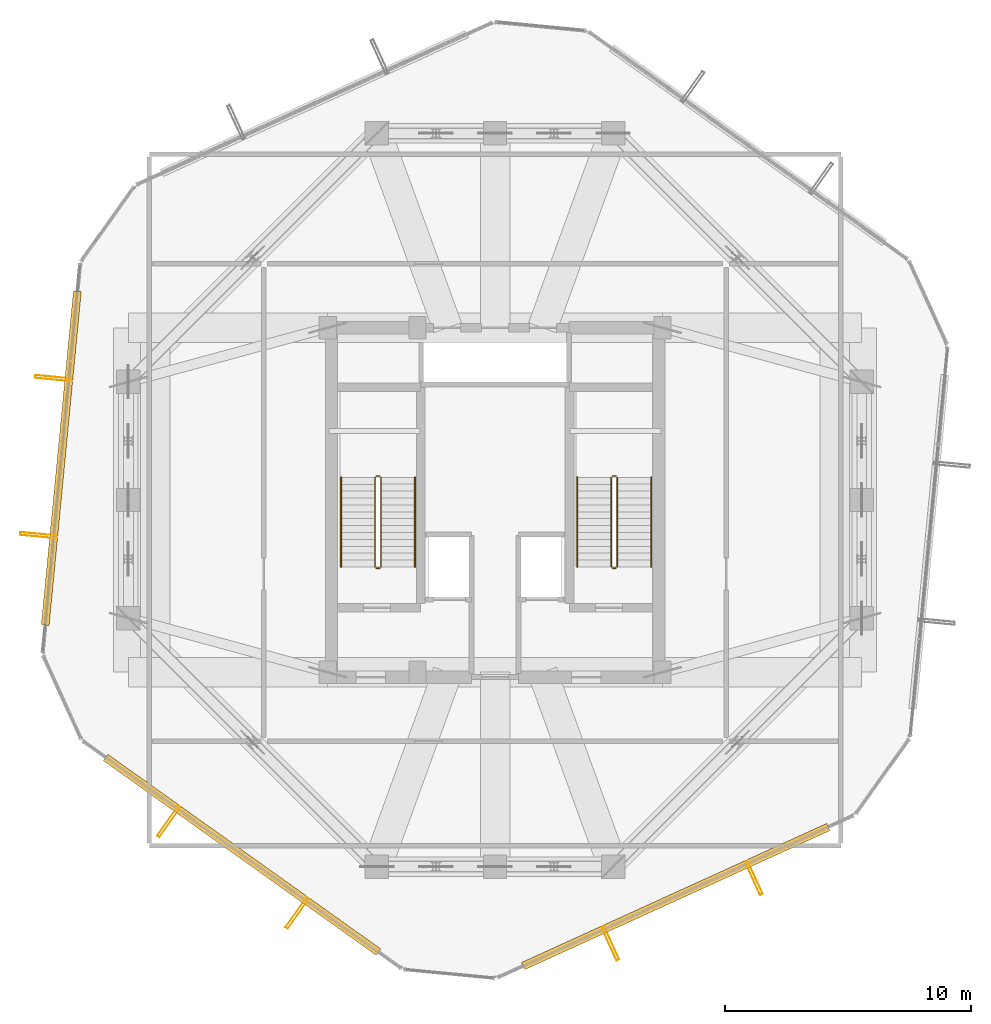
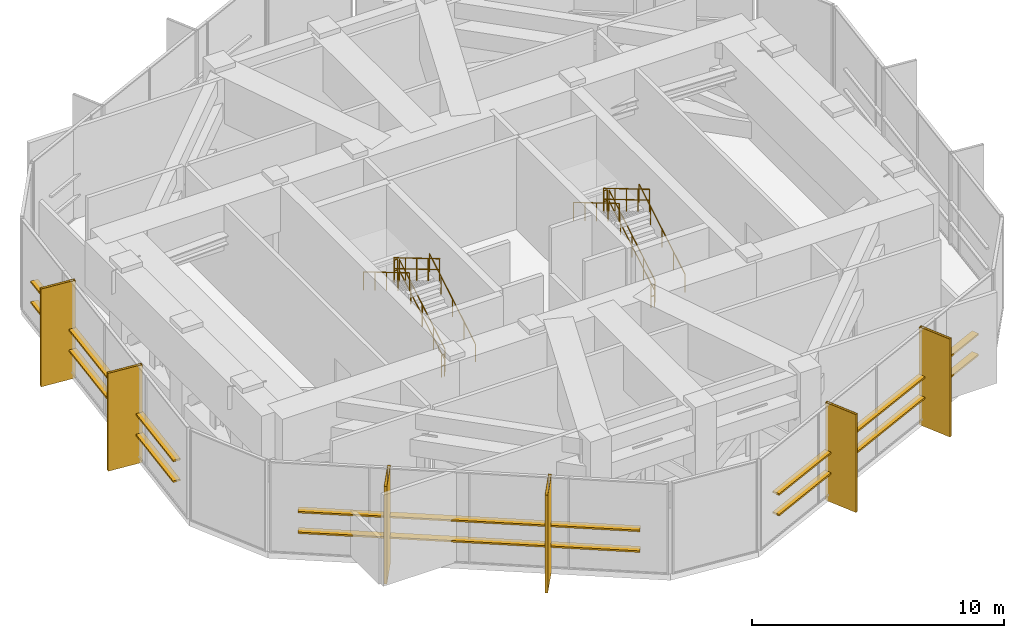
# One storey, part 30 of 31: 12 railings, 12 shading devices.
"""IFC4 building model written with IfcOpenShell, lengths in metres."""

from ifc_helpers import new_model, si_unit, direction, frame, origin, origin_2d, place, context, subcontext, project, spatial, hollow_rectangle, circle, extrude, material, material_profile, profile_set, type_object, element, save


model = new_model("IFC4")

# Units and contexts
model_context = context("Model", 3, precision=1e-05, world=origin(), true_north=direction((0.0, 1.0)))
body_context = subcontext(model_context, "Body", "Model", "MODEL_VIEW")
ifc_project = project(units=[si_unit("LENGTHUNIT", "METRE"), si_unit("AREAUNIT", "SQUARE_METRE"), si_unit("VOLUMEUNIT", "CUBIC_METRE"), si_unit("PLANEANGLEUNIT", "RADIAN"), si_unit("MASSUNIT", "GRAM", prefix="KILO")], contexts=[model_context])

# Site, building, storey
site_placement = place(None, origin())
site = spatial("IfcSite", under=ifc_project, at=site_placement, CompositionType="ELEMENT")
building_placement = place(site_placement, origin())
building = spatial("IfcBuilding", under=site, at=building_placement, Name="Veraguas Prism Commons", CompositionType="ELEMENT")
storey_placement = place(building_placement, frame((0.0, 0.0, 225.39990234375)))
storey = spatial("IfcBuildingStorey", under=building, at=storey_placement, Name="L64", CompositionType="ELEMENT", Elevation=225.39990234375)

# Shading devices
ifc_material_1 = material(Name="Anodised aluminium EN AW-6063 T6", Category="aluminium")
ifc_material_profile_1 = material_profile(ifc_material_1, hollow_rectangle(XDim=0.1201171875, YDim=1.489990234375, WallThickness=0.006103515625, at=origin_2d()), Name="FIN120X1490X6")
ifc_profile_set_1 = profile_set([ifc_material_profile_1], Name="Anodised aluminium EN AW-6063 T6")
shading_device_type_1 = type_object("IfcShadingDeviceType", Name="Deep Pale-Metal Vertical Solar Fin 120x1490", PredefinedType="USERDEFINED", material=ifc_profile_set_1)
for number, where, z_axis, x_axis, name in (
    (1, (6.056396484375, 28.947021484375, -0.2998046875), (0.0, 0.0, 1.0), (-0.095847489814, -0.995396031083, 0.0), "Vertical Pale-Metal Solar Fin L64-F3A"),
    (2, (5.442138671875, 22.567626953125, -0.2998046875), (0.0, 0.0, 1.0), (-0.095847489814, -0.995396031083, 0.0), "Vertical Pale-Metal Solar Fin L64-F3B"),
    (3, (10.743896484375, 10.933837890625, -0.2998046875), (0.0, 0.0, 1.0), (0.814114504837, -0.58070437661, 0.0), "Vertical Pale-Metal Solar Fin L64-F4A"),
    (4, (15.96142578125, 7.212158203125, -0.2998046875), (0.0, 0.0, 1.0), (0.814114504837, -0.58070437661, 0.0), "Vertical Pale-Metal Solar Fin L64-F4B"),
    (5, (28.6875, 5.98681640625, -0.2998046875), (0.0, 0.0, 1.0), (0.909961270877, 0.414693242656, 0.0), "Vertical Pale-Metal Solar Fin L64-F5A"),
    (6, (34.519287109375, 8.64453125, -0.2998046875), (0.0, 0.0, 1.0), (0.909961270877, 0.414693242656, 0.0), "Vertical Pale-Metal Solar Fin L64-F5B"),
):
    element("IfcShadingDevice", number, at=place(storey_placement, frame(where, z_axis=z_axis, x_axis=x_axis)), inside=storey, type_object=shading_device_type_1, Name=name, ObjectType="FIN", PredefinedType="USERDEFINED", context=body_context, shape_type="SweptSolid", body=[
        extrude(hollow_rectangle(XDim=0.1201171875, YDim=1.489990234375, WallThickness=0.006103515625, at=origin_2d()), origin(), (0.0, 0.0, 1.0), 4.73486328125),
    ])
ifc_material_profile_2 = material_profile(ifc_material_1, hollow_rectangle(XDim=0.080078125, YDim=0.320068359375, WallThickness=0.00390625, at=origin_2d()), Name="LVR80X320X4")
ifc_profile_set_2 = profile_set([ifc_material_profile_2], Name="Anodised aluminium EN AW-6063 T6")
shading_device_type_2 = type_object("IfcShadingDeviceType", Name="Plant Room Acoustic Weather Louvre 80x320", PredefinedType="JALOUSIE", material=ifc_profile_set_2)
for number, where, z_axis, x_axis, name in (
    (7, (7.024169921875, 32.477294921875, 1.10009765625), (-0.095845929632, -0.995396181313, 0.0), (0.0, 0.0, 1.0), "Plant Acoustic Weather Louvre L64-F3A"),
    (8, (7.024169921875, 32.477294921875, 2.10009765625), (-0.095845929632, -0.995396181313, 0.0), (0.0, 0.0, 1.0), "Plant Acoustic Weather Louvre L64-F3B"),
    (9, (8.17041015625, 13.537109375, 1.10009765625), (0.814115949636, -0.580702351079, 0.0), (0.0, 0.0, 1.0), "Plant Acoustic Weather Louvre L64-F4A"),
    (10, (8.17041015625, 13.537109375, 2.10009765625), (0.814115949636, -0.580702351079, 0.0), (0.0, 0.0, 1.0), "Plant Acoustic Weather Louvre L64-F4B"),
):
    element("IfcShadingDevice", number, at=place(storey_placement, frame(where, z_axis=z_axis, x_axis=x_axis)), inside=storey, type_object=shading_device_type_2, Name=name, PredefinedType="JALOUSIE", context=body_context, shape_type="SweptSolid", body=[
        extrude(hollow_rectangle(XDim=0.080078125, YDim=0.320068359375, WallThickness=0.00390625, at=origin_2d()), origin(), (0.0, 0.0, 1.0), 13.62255859375),
    ])
for number, where, z_axis, x_axis, name in (
    (11, (25.146484375, 5.059814453125, 1.10009765625), (0.909958492432, 0.414699339342, 0.0), (0.0, 0.0, 1.0), "Plant Acoustic Weather Louvre L64-F5A"),
    (12, (25.146484375, 5.059814453125, 2.10009765625), (0.909958492432, 0.414699339342, 0.0), (0.0, 0.0, 1.0), "Plant Acoustic Weather Louvre L64-F5B"),
):
    element("IfcShadingDevice", number, at=place(storey_placement, frame(where, z_axis=z_axis, x_axis=x_axis)), inside=storey, type_object=shading_device_type_2, Name=name, PredefinedType="JALOUSIE", context=body_context, shape_type="SweptSolid", body=[
        extrude(hollow_rectangle(XDim=0.080078125, YDim=0.320068359375, WallThickness=0.00390625, at=origin_2d()), origin(), (0.0, 0.0, 1.0), 13.622314453125),
    ])

# Railings
ifc_material_2 = material(Name="Stainless steel AISI 316", Category="steel")
railing_type_1 = type_object("IfcRailingType", Name="Stair and Ramp Stainless Handrail 900", PredefinedType="HANDRAIL", material=ifc_material_2)
railing_1_placement = place(storey_placement, frame((20.75, 21.280029296875, 0.166259765625)))
element("IfcRailing", 13, at=railing_1_placement, inside=storey, type_object=railing_type_1, Name="Stair Handrail ST-01 L64-1", PredefinedType="HANDRAIL", context=body_context, shape_type="SweptSolid", body=[
    extrude(circle(Radius=0.02392578125, at=origin_2d()), frame((0.0, 0.0, 0.8759765625), z_axis=(0.0, 0.860088118128, 0.510145497928), x_axis=(-1.0, 0.0, 0.0)), (0.0, 0.0, 1.0), 4.23193359375),
    extrude(circle(Radius=0.02099609375, at=origin_2d()), origin(), (0.0, 0.0, 1.0), 0.851806640625),
    extrude(circle(Radius=0.02099609375, at=origin_2d()), frame((0.0, 0.909912109375, 0.539794921875)), (0.0, 0.0, 1.0), 0.851806640625),
    extrude(circle(Radius=0.02099609375, at=origin_2d()), frame((0.0, 1.81982421875, 1.07958984375)), (0.0, 0.0, 1.0), 0.851806640625),
    extrude(circle(Radius=0.02099609375, at=origin_2d()), frame((0.0, 2.72998046875, 1.619140625)), (0.0, 0.0, 1.0), 0.851806640625),
    extrude(circle(Radius=0.02099609375, at=origin_2d()), frame((0.0, 3.639892578125, 2.158935546875)), (0.0, 0.0, 1.0), 0.851806640625),
])
railing_2_placement = place(storey_placement, frame((17.739990234375, 24.919921875, 2.4912109375)))
element("IfcRailing", 14, at=railing_2_placement, inside=storey, type_object=railing_type_1, Name="Stair Handrail ST-01 L64-2", PredefinedType="HANDRAIL", context=body_context, shape_type="SweptSolid", body=[
    extrude(circle(Radius=0.02392578125, at=origin_2d()), frame((0.0, 0.0, 0.8759765625), z_axis=(0.0, -0.860088118128, 0.510145497928), x_axis=(1.0, 0.0, 0.0)), (0.0, 0.0, 1.0), 4.23193359375),
    extrude(circle(Radius=0.02099609375, at=origin_2d()), origin(), (0.0, 0.0, 1.0), 0.851806640625),
    extrude(circle(Radius=0.02099609375, at=origin_2d()), frame((0.0, -0.909912109375, 0.539794921875)), (0.0, 0.0, 1.0), 0.851806640625),
    extrude(circle(Radius=0.02099609375, at=origin_2d()), frame((0.0, -1.81982421875, 1.07958984375)), (0.0, 0.0, 1.0), 0.851806640625),
    extrude(circle(Radius=0.02099609375, at=origin_2d()), frame((0.0, -2.72998046875, 1.619140625)), (0.0, 0.0, 1.0), 0.851806640625),
    extrude(circle(Radius=0.02099609375, at=origin_2d()), frame((0.0, -3.639892578125, 2.158935546875)), (0.0, 0.0, 1.0), 0.851806640625),
])
railing_3_placement = place(storey_placement, frame((30.35009765625, 21.280029296875, 0.166259765625)))
element("IfcRailing", 15, at=railing_3_placement, inside=storey, type_object=railing_type_1, Name="Stair Handrail ST-02 L64-1", PredefinedType="HANDRAIL", context=body_context, shape_type="SweptSolid", body=[
    extrude(circle(Radius=0.02392578125, at=origin_2d()), frame((0.0, 0.0, 0.8759765625), z_axis=(0.0, 0.860088118128, 0.510145497928), x_axis=(-1.0, 0.0, 0.0)), (0.0, 0.0, 1.0), 4.23193359375),
    extrude(circle(Radius=0.02099609375, at=origin_2d()), origin(), (0.0, 0.0, 1.0), 0.851806640625),
    extrude(circle(Radius=0.02099609375, at=origin_2d()), frame((0.0, 0.909912109375, 0.539794921875)), (0.0, 0.0, 1.0), 0.851806640625),
    extrude(circle(Radius=0.02099609375, at=origin_2d()), frame((0.0, 1.81982421875, 1.07958984375)), (0.0, 0.0, 1.0), 0.851806640625),
    extrude(circle(Radius=0.02099609375, at=origin_2d()), frame((0.0, 2.72998046875, 1.619140625)), (0.0, 0.0, 1.0), 0.851806640625),
    extrude(circle(Radius=0.02099609375, at=origin_2d()), frame((0.0, 3.639892578125, 2.158935546875)), (0.0, 0.0, 1.0), 0.851806640625),
])
railing_4_placement = place(storey_placement, frame((27.340087890625, 24.919921875, 2.4912109375)))
element("IfcRailing", 16, at=railing_4_placement, inside=storey, type_object=railing_type_1, Name="Stair Handrail ST-02 L64-2", PredefinedType="HANDRAIL", context=body_context, shape_type="SweptSolid", body=[
    extrude(circle(Radius=0.02392578125, at=origin_2d()), frame((0.0, 0.0, 0.8759765625), z_axis=(0.0, -0.860088118128, 0.510145497928), x_axis=(1.0, 0.0, 0.0)), (0.0, 0.0, 1.0), 4.23193359375),
    extrude(circle(Radius=0.02099609375, at=origin_2d()), origin(), (0.0, 0.0, 1.0), 0.851806640625),
    extrude(circle(Radius=0.02099609375, at=origin_2d()), frame((0.0, -0.909912109375, 0.539794921875)), (0.0, 0.0, 1.0), 0.851806640625),
    extrude(circle(Radius=0.02099609375, at=origin_2d()), frame((0.0, -1.81982421875, 1.07958984375)), (0.0, 0.0, 1.0), 0.851806640625),
    extrude(circle(Radius=0.02099609375, at=origin_2d()), frame((0.0, -2.72998046875, 1.619140625)), (0.0, 0.0, 1.0), 0.851806640625),
    extrude(circle(Radius=0.02099609375, at=origin_2d()), frame((0.0, -3.639892578125, 2.158935546875)), (0.0, 0.0, 1.0), 0.851806640625),
])
railing_type_2 = type_object("IfcRailingType", Name="Stairwell Safety Guardrail 1100", PredefinedType="GUARDRAIL", material=ifc_material_2)
railing_5_placement = place(storey_placement, frame((19.3701171875, 21.280029296875, 0.166259765625)))
element("IfcRailing", 17, at=railing_5_placement, inside=storey, type_object=railing_type_2, Name="Stair Guard ST-01 L64-1", PredefinedType="GUARDRAIL", context=body_context, shape_type="SweptSolid", body=[
    extrude(circle(Radius=0.02392578125, at=origin_2d()), frame((0.0, 0.0, 1.076171875), z_axis=(0.0, 0.860088118128, 0.510145497928), x_axis=(-1.0, 0.0, 0.0)), (0.0, 0.0, 1.0), 4.23193359375),
    extrude(circle(Radius=0.02392578125, at=origin_2d()), frame((0.0, 0.0, 0.550048828125), z_axis=(0.0, 0.860088118128, 0.510145497928), x_axis=(-1.0, 0.0, 0.0)), (0.0, 0.0, 1.0), 4.23193359375),
    extrude(circle(Radius=0.02099609375, at=origin_2d()), origin(), (0.0, 0.0, 1.0), 1.052001953125),
    extrude(circle(Radius=0.02099609375, at=origin_2d()), frame((0.0, 0.909912109375, 0.539794921875)), (0.0, 0.0, 1.0), 1.052001953125),
    extrude(circle(Radius=0.02099609375, at=origin_2d()), frame((0.0, 1.81982421875, 1.07958984375)), (0.0, 0.0, 1.0), 1.052001953125),
    extrude(circle(Radius=0.02099609375, at=origin_2d()), frame((0.0, 2.72998046875, 1.619140625)), (0.0, 0.0, 1.0), 1.052001953125),
    extrude(circle(Radius=0.02099609375, at=origin_2d()), frame((0.0, 3.639892578125, 2.158935546875)), (0.0, 0.0, 1.0), 1.052001953125),
])
railing_6_placement = place(storey_placement, frame((19.320068359375, 24.969970703125, 2.3251953125)))
element("IfcRailing", 18, at=railing_6_placement, inside=storey, type_object=railing_type_2, Name="Stair Guard ST-01 L64-2", PredefinedType="GUARDRAIL", context=body_context, shape_type="SweptSolid", body=[
    extrude(circle(Radius=0.02392578125, at=origin_2d()), frame((0.0, 0.0, 1.076171875), z_axis=(-1.0, 0.0, 0.0), x_axis=(0.0, -1.0, 0.0)), (0.0, 0.0, 1.0), 0.150146484375),
    extrude(circle(Radius=0.02392578125, at=origin_2d()), frame((0.0, 0.0, 0.550048828125), z_axis=(-1.0, 0.0, 0.0), x_axis=(0.0, -1.0, 0.0)), (0.0, 0.0, 1.0), 0.150146484375),
    extrude(circle(Radius=0.02099609375, at=origin_2d()), origin(), (0.0, 0.0, 1.0), 1.052001953125),
    extrude(circle(Radius=0.02099609375, at=origin_2d()), frame((-0.150146484375, 0.0, 0.0)), (0.0, 0.0, 1.0), 1.052001953125),
])
railing_7_placement = place(storey_placement, frame((19.1201171875, 24.919921875, 2.4912109375)))
element("IfcRailing", 19, at=railing_7_placement, inside=storey, type_object=railing_type_2, Name="Stair Guard ST-01 L64-3", PredefinedType="GUARDRAIL", context=body_context, shape_type="SweptSolid", body=[
    extrude(circle(Radius=0.02392578125, at=origin_2d()), frame((0.0, 0.0, 1.076171875), z_axis=(0.0, -0.860088118128, 0.510145497928), x_axis=(1.0, 0.0, 0.0)), (0.0, 0.0, 1.0), 4.23193359375),
    extrude(circle(Radius=0.02392578125, at=origin_2d()), frame((0.0, 0.0, 0.550048828125), z_axis=(0.0, -0.860088118128, 0.510145497928), x_axis=(1.0, 0.0, 0.0)), (0.0, 0.0, 1.0), 4.23193359375),
    extrude(circle(Radius=0.02099609375, at=origin_2d()), origin(), (0.0, 0.0, 1.0), 1.052001953125),
    extrude(circle(Radius=0.02099609375, at=origin_2d()), frame((0.0, -0.909912109375, 0.539794921875)), (0.0, 0.0, 1.0), 1.052001953125),
    extrude(circle(Radius=0.02099609375, at=origin_2d()), frame((0.0, -1.81982421875, 1.07958984375)), (0.0, 0.0, 1.0), 1.052001953125),
    extrude(circle(Radius=0.02099609375, at=origin_2d()), frame((0.0, -2.72998046875, 1.619140625)), (0.0, 0.0, 1.0), 1.052001953125),
    extrude(circle(Radius=0.02099609375, at=origin_2d()), frame((0.0, -3.639892578125, 2.158935546875)), (0.0, 0.0, 1.0), 1.052001953125),
])
railing_8_placement = place(storey_placement, frame((19.320068359375, 21.22998046875, 0.0)))
element("IfcRailing", 20, at=railing_8_placement, inside=storey, type_object=railing_type_2, Name="Stair Guard ST-01 L64-4", PredefinedType="GUARDRAIL", context=body_context, shape_type="SweptSolid", body=[
    extrude(circle(Radius=0.02392578125, at=origin_2d()), frame((0.0, 0.0, 1.076171875), z_axis=(-1.0, 0.0, 0.0), x_axis=(0.0, -1.0, 0.0)), (0.0, 0.0, 1.0), 0.150146484375),
    extrude(circle(Radius=0.02392578125, at=origin_2d()), frame((0.0, 0.0, 0.550048828125), z_axis=(-1.0, 0.0, 0.0), x_axis=(0.0, -1.0, 0.0)), (0.0, 0.0, 1.0), 0.150146484375),
    extrude(circle(Radius=0.02099609375, at=origin_2d()), origin(), (0.0, 0.0, 1.0), 1.052001953125),
    extrude(circle(Radius=0.02099609375, at=origin_2d()), frame((-0.150146484375, 0.0, 0.0)), (0.0, 0.0, 1.0), 1.052001953125),
])
railing_9_placement = place(storey_placement, frame((28.969970703125, 21.280029296875, 0.166259765625)))
element("IfcRailing", 21, at=railing_9_placement, inside=storey, type_object=railing_type_2, Name="Stair Guard ST-02 L64-1", PredefinedType="GUARDRAIL", context=body_context, shape_type="SweptSolid", body=[
    extrude(circle(Radius=0.02392578125, at=origin_2d()), frame((0.0, 0.0, 1.076171875), z_axis=(0.0, 0.860088118128, 0.510145497928), x_axis=(-1.0, 0.0, 0.0)), (0.0, 0.0, 1.0), 4.23193359375),
    extrude(circle(Radius=0.02392578125, at=origin_2d()), frame((0.0, 0.0, 0.550048828125), z_axis=(0.0, 0.860088118128, 0.510145497928), x_axis=(-1.0, 0.0, 0.0)), (0.0, 0.0, 1.0), 4.23193359375),
    extrude(circle(Radius=0.02099609375, at=origin_2d()), origin(), (0.0, 0.0, 1.0), 1.052001953125),
    extrude(circle(Radius=0.02099609375, at=origin_2d()), frame((0.0, 0.909912109375, 0.539794921875)), (0.0, 0.0, 1.0), 1.052001953125),
    extrude(circle(Radius=0.02099609375, at=origin_2d()), frame((0.0, 1.81982421875, 1.07958984375)), (0.0, 0.0, 1.0), 1.052001953125),
    extrude(circle(Radius=0.02099609375, at=origin_2d()), frame((0.0, 2.72998046875, 1.619140625)), (0.0, 0.0, 1.0), 1.052001953125),
    extrude(circle(Radius=0.02099609375, at=origin_2d()), frame((0.0, 3.639892578125, 2.158935546875)), (0.0, 0.0, 1.0), 1.052001953125),
])
railing_10_placement = place(storey_placement, frame((28.919921875, 24.969970703125, 2.3251953125)))
element("IfcRailing", 22, at=railing_10_placement, inside=storey, type_object=railing_type_2, Name="Stair Guard ST-02 L64-2", PredefinedType="GUARDRAIL", context=body_context, shape_type="SweptSolid", body=[
    extrude(circle(Radius=0.02392578125, at=origin_2d()), frame((0.0, 0.0, 1.076171875), z_axis=(-1.0, 0.0, 0.0), x_axis=(0.0, -1.0, 0.0)), (0.0, 0.0, 1.0), 0.14990234375),
    extrude(circle(Radius=0.02392578125, at=origin_2d()), frame((0.0, 0.0, 0.550048828125), z_axis=(-1.0, 0.0, 0.0), x_axis=(0.0, -1.0, 0.0)), (0.0, 0.0, 1.0), 0.14990234375),
    extrude(circle(Radius=0.02099609375, at=origin_2d()), origin(), (0.0, 0.0, 1.0), 1.052001953125),
    extrude(circle(Radius=0.02099609375, at=origin_2d()), frame((-0.14990234375, 0.0, 0.0)), (0.0, 0.0, 1.0), 1.052001953125),
])
railing_11_placement = place(storey_placement, frame((28.719970703125, 24.919921875, 2.4912109375)))
element("IfcRailing", 23, at=railing_11_placement, inside=storey, type_object=railing_type_2, Name="Stair Guard ST-02 L64-3", PredefinedType="GUARDRAIL", context=body_context, shape_type="SweptSolid", body=[
    extrude(circle(Radius=0.02392578125, at=origin_2d()), frame((0.0, 0.0, 1.076171875), z_axis=(0.0, -0.860088118128, 0.510145497928), x_axis=(1.0, 0.0, 0.0)), (0.0, 0.0, 1.0), 4.23193359375),
    extrude(circle(Radius=0.02392578125, at=origin_2d()), frame((0.0, 0.0, 0.550048828125), z_axis=(0.0, -0.860088118128, 0.510145497928), x_axis=(1.0, 0.0, 0.0)), (0.0, 0.0, 1.0), 4.23193359375),
    extrude(circle(Radius=0.02099609375, at=origin_2d()), origin(), (0.0, 0.0, 1.0), 1.052001953125),
    extrude(circle(Radius=0.02099609375, at=origin_2d()), frame((0.0, -0.909912109375, 0.539794921875)), (0.0, 0.0, 1.0), 1.052001953125),
    extrude(circle(Radius=0.02099609375, at=origin_2d()), frame((0.0, -1.81982421875, 1.07958984375)), (0.0, 0.0, 1.0), 1.052001953125),
    extrude(circle(Radius=0.02099609375, at=origin_2d()), frame((0.0, -2.72998046875, 1.619140625)), (0.0, 0.0, 1.0), 1.052001953125),
    extrude(circle(Radius=0.02099609375, at=origin_2d()), frame((0.0, -3.639892578125, 2.158935546875)), (0.0, 0.0, 1.0), 1.052001953125),
])
railing_12_placement = place(storey_placement, frame((28.919921875, 21.22998046875, 0.0)))
element("IfcRailing", 24, at=railing_12_placement, inside=storey, type_object=railing_type_2, Name="Stair Guard ST-02 L64-4", PredefinedType="GUARDRAIL", context=body_context, shape_type="SweptSolid", body=[
    extrude(circle(Radius=0.02392578125, at=origin_2d()), frame((0.0, 0.0, 1.076171875), z_axis=(-1.0, 0.0, 0.0), x_axis=(0.0, -1.0, 0.0)), (0.0, 0.0, 1.0), 0.14990234375),
    extrude(circle(Radius=0.02392578125, at=origin_2d()), frame((0.0, 0.0, 0.550048828125), z_axis=(-1.0, 0.0, 0.0), x_axis=(0.0, -1.0, 0.0)), (0.0, 0.0, 1.0), 0.14990234375),
    extrude(circle(Radius=0.02099609375, at=origin_2d()), origin(), (0.0, 0.0, 1.0), 1.052001953125),
    extrude(circle(Radius=0.02099609375, at=origin_2d()), frame((-0.14990234375, 0.0, 0.0)), (0.0, 0.0, 1.0), 1.052001953125),
])

save(model, "model.ifc")
